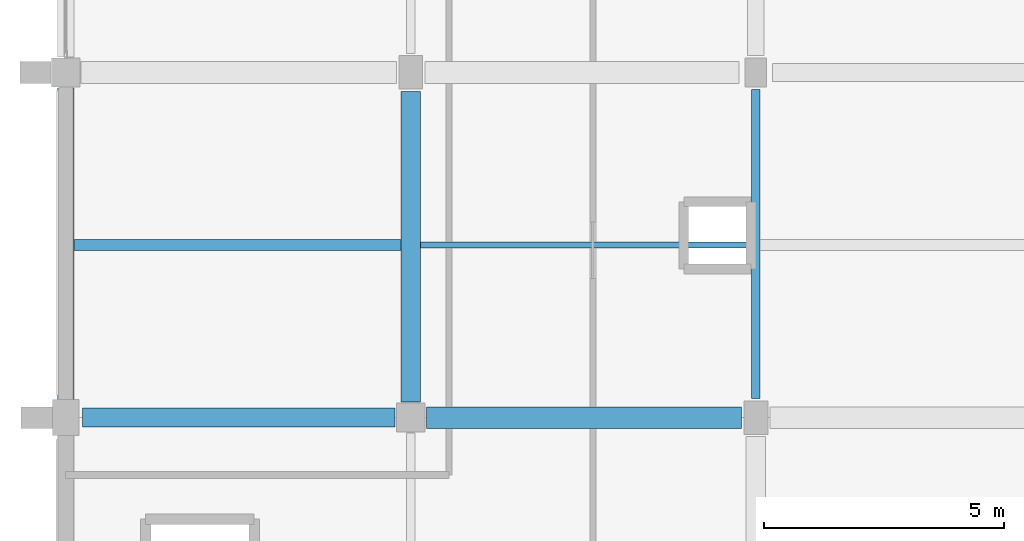
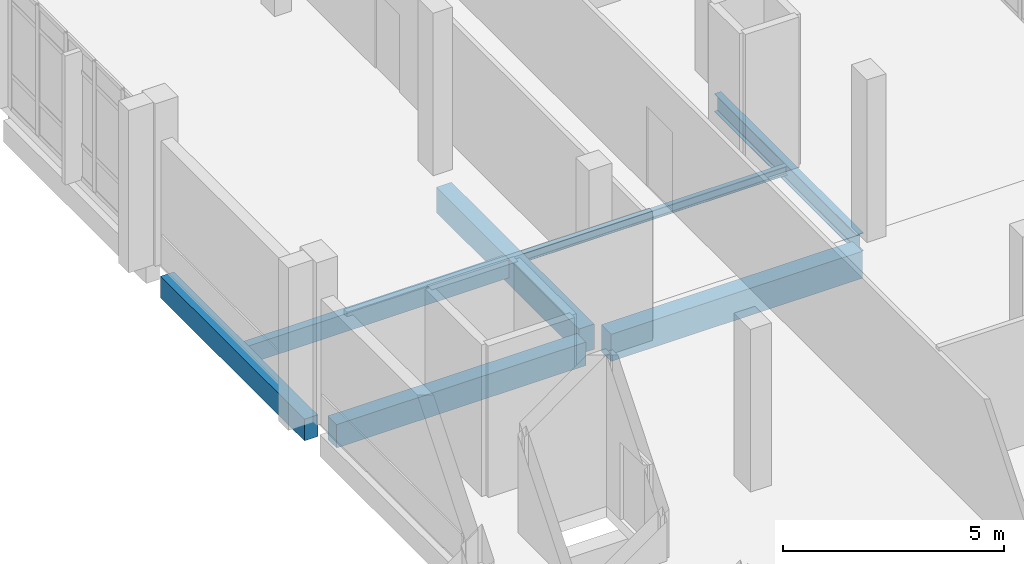
# One storey, part 18 of 87: 7 beams.
"""IFC4 building model written with IfcOpenShell, lengths in metres."""

from ifc_helpers import new_model, si_unit, direction, frame, origin, origin_2d, place, context, subcontext, project, spatial, rectangle, i_section, extrude, material, material_profile, profile_set, type_object, element, save


model = new_model("IFC4")

# Units and contexts
model_context = context("Model", 3, precision=1e-05, world=origin(), true_north=direction((0.0, 1.0)))
body_context = subcontext(model_context, "Body", "Model", "MODEL_VIEW")
ifc_project = project(units=[si_unit("LENGTHUNIT", "METRE"), si_unit("AREAUNIT", "SQUARE_METRE"), si_unit("VOLUMEUNIT", "CUBIC_METRE"), si_unit("PLANEANGLEUNIT", "RADIAN"), si_unit("MASSUNIT", "GRAM", prefix="KILO")], contexts=[model_context])

# Site, building, storey
site_placement = place(None, origin())
site = spatial("IfcSite", under=ifc_project, at=site_placement, CompositionType="ELEMENT")
building_placement = place(site_placement, origin())
building = spatial("IfcBuilding", under=site, at=building_placement, Name="Kalluvel Institute of Natural Sciences", CompositionType="ELEMENT")
storey_placement = place(building_placement, frame((0.0, 0.0, 18.89990234375)))
storey = spatial("IfcBuildingStorey", under=building, at=storey_placement, Name="L04", CompositionType="ELEMENT", Elevation=18.89990234375)

# Beams
ifc_material_1 = material(Name="Steel E350 Grade 350", Category="steel")
ifc_material_profile_1 = material_profile(ifc_material_1, i_section(OverallWidth=0.179931640625, OverallDepth=0.5, WebThickness=0.01025390625, FlangeThickness=0.01708984375, FilletRadius=0.01708984375, at=origin_2d()), Name="ISMB 500")
ifc_profile_set_1 = profile_set([ifc_material_profile_1], Name="Steel E350 Grade 350")
beam_type_1 = type_object("IfcBeamType", Name="BM-ISMB500", PredefinedType="BEAM", material=ifc_profile_set_1)
beam_1_placement = place(storey_placement, frame((28.39990234375, 64.800048828125, -0.5498046875), z_axis=(0.0, 1.0, 0.0), x_axis=(-1.0, 0.0, 0.0)))
element("IfcBeam", 1, at=beam_1_placement, inside=storey, type_object=beam_type_1, Name="L04 girder GIR-L04-NS-X284-Y644", PredefinedType="BEAM", context=body_context, shape_type="SweptSolid", body=[
    extrude(i_section(OverallWidth=0.179931640625, OverallDepth=0.5, WebThickness=0.01025390625, FlangeThickness=0.01708984375, FilletRadius=0.01708984375, at=origin_2d()), origin(), (0.0, 0.0, 1.0), 6.449951171875),
])
ifc_material_2 = material(Name="Concrete M40", Category="concrete")
ifc_material_profile_2 = material_profile(ifc_material_2, rectangle(XDim=0.39990234375, YDim=0.64990234375, at=origin_2d()), Name="RCB 400x650")
ifc_profile_set_2 = profile_set([ifc_material_profile_2], Name="Concrete M40")
beam_type_2 = type_object("IfcBeamType", Name="BM-RC400x650", PredefinedType="BEAM", material=ifc_profile_set_2)
beam_2_placement = place(storey_placement, frame((14.35009765625, 64.39990234375, -0.625), z_axis=(1.0, 0.0, 0.0), x_axis=(0.0, 1.0, 0.0)))
element("IfcBeam", 2, at=beam_2_placement, inside=storey, type_object=beam_type_2, Name="L04 girder GIR-L04-EW-X140-Y644", PredefinedType="BEAM", context=body_context, shape_type="SweptSolid", body=[
    extrude(rectangle(XDim=0.39990234375, YDim=0.64990234375, at=origin_2d()), origin(), (0.0, 0.0, 1.0), 6.52490234375),
])
ifc_material_profile_3 = material_profile(ifc_material_2, rectangle(XDim=0.39990234375, YDim=0.699951171875, at=origin_2d()), Name="RCB 400x700")
ifc_profile_set_3 = profile_set([ifc_material_profile_3], Name="Concrete M40")
beam_type_3 = type_object("IfcBeamType", Name="BM-RC400x700", PredefinedType="BEAM", material=ifc_profile_set_3)
beam_3_placement = place(storey_placement, frame((21.199951171875, 64.72509765625, -0.64990234375), z_axis=(0.0, 1.0, 0.0), x_axis=(-1.0, 0.0, 0.0)))
element("IfcBeam", 3, at=beam_3_placement, inside=storey, type_object=beam_type_3, Name="L04 girder GIR-L04-NS-X212-Y644", PredefinedType="BEAM", context=body_context, shape_type="SweptSolid", body=[
    extrude(rectangle(XDim=0.39990234375, YDim=0.699951171875, at=origin_2d()), origin(), (0.0, 0.0, 1.0), 6.474853515625),
])
ifc_material_profile_4 = material_profile(ifc_material_2, rectangle(XDim=0.449951171875, YDim=0.75, at=origin_2d()), Name="RCB 450x750")
ifc_profile_set_4 = profile_set([ifc_material_profile_4], Name="Concrete M40")
beam_type_4 = type_object("IfcBeamType", Name="BM-RC450x750", PredefinedType="BEAM", material=ifc_profile_set_4)
beam_4_placement = place(storey_placement, frame((21.52490234375, 64.39990234375, -0.6748046875), z_axis=(1.0, 0.0, 0.0), x_axis=(0.0, 1.0, 0.0)))
element("IfcBeam", 4, at=beam_4_placement, inside=storey, type_object=beam_type_4, Name="L04 girder GIR-L04-EW-X212-Y644", PredefinedType="BEAM", context=body_context, shape_type="SweptSolid", body=[
    extrude(rectangle(XDim=0.449951171875, YDim=0.75, at=origin_2d()), origin(), (0.0, 0.0, 1.0), 6.5751953125),
])
ifc_material_profile_5 = material_profile(ifc_material_2, rectangle(XDim=0.35009765625, YDim=0.60009765625, at=origin_2d()), Name="RCB 350x600")
ifc_profile_set_5 = profile_set([ifc_material_profile_5], Name="Concrete M40")
beam_type_5 = type_object("IfcBeamType", Name="SP-RC350x600", PredefinedType="SPANDREL", material=ifc_profile_set_5)
beam_5_placement = place(storey_placement, frame((14.0, 64.75, -0.599853515625), z_axis=(0.0, 1.0, 0.0), x_axis=(-1.0, 0.0, 0.0)))
element("IfcBeam", 5, at=beam_5_placement, inside=storey, type_object=beam_type_5, Name="L04 girder GIR-L04-NS-X140-Y644", PredefinedType="SPANDREL", context=body_context, shape_type="SweptSolid", body=[
    extrude(rectangle(XDim=0.35009765625, YDim=0.60009765625, at=origin_2d()), origin(), (0.0, 0.0, 1.0), 6.52490234375),
])
ifc_material_profile_6 = material_profile(ifc_material_2, rectangle(XDim=0.219970703125, YDim=0.5, at=origin_2d()), Name="WAF 220x500")
ifc_profile_set_6 = profile_set([ifc_material_profile_6], Name="Concrete M40")
beam_type_6 = type_object("IfcBeamType", Name="WJ-220x500", PredefinedType="JOIST", material=ifc_profile_set_6)
beam_6_placement = place(storey_placement, frame((14.175048828125, 68.0, -0.5498046875), z_axis=(1.0, 0.0, 0.0), x_axis=(0.0, 1.0, 0.0)))
element("IfcBeam", 6, at=beam_6_placement, inside=storey, type_object=beam_type_6, Name="L04 floor rib RIB-L04-0725", PredefinedType="JOIST", context=body_context, shape_type="SweptSolid", body=[
    extrude(rectangle(XDim=0.219970703125, YDim=0.5, at=origin_2d()), origin(), (0.0, 0.0, 1.0), 6.824951171875),
])
ifc_material_profile_7 = material_profile(ifc_material_1, i_section(OverallWidth=0.125, OverallDepth=0.25, WebThickness=0.0068359375, FlangeThickness=0.012451171875, FilletRadius=0.012939453125, at=origin_2d()), Name="ISMB 250")
ifc_profile_set_7 = profile_set([ifc_material_profile_7], Name="Steel E350 Grade 350")
beam_type_7 = type_object("IfcBeamType", Name="WJ-ISMB250", PredefinedType="JOIST", material=ifc_profile_set_7)
beam_7_placement = place(storey_placement, frame((21.39990234375, 68.0, -0.4248046875), z_axis=(1.0, 0.0, 0.0), x_axis=(0.0, 1.0, 0.0)))
element("IfcBeam", 7, at=beam_7_placement, inside=storey, type_object=beam_type_7, Name="L04 floor rib RIB-L04-0726", PredefinedType="JOIST", context=body_context, shape_type="SweptSolid", body=[
    extrude(i_section(OverallWidth=0.125, OverallDepth=0.25, WebThickness=0.0068359375, FlangeThickness=0.012451171875, FilletRadius=0.012939453125, at=origin_2d()), origin(), (0.0, 0.0, 1.0), 6.91015625),
])

save(model, "model.ifc")
